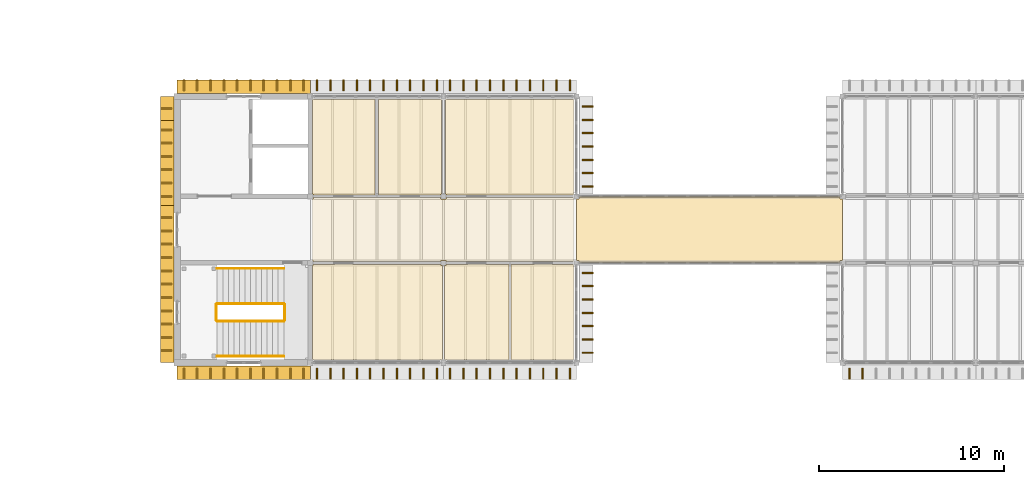
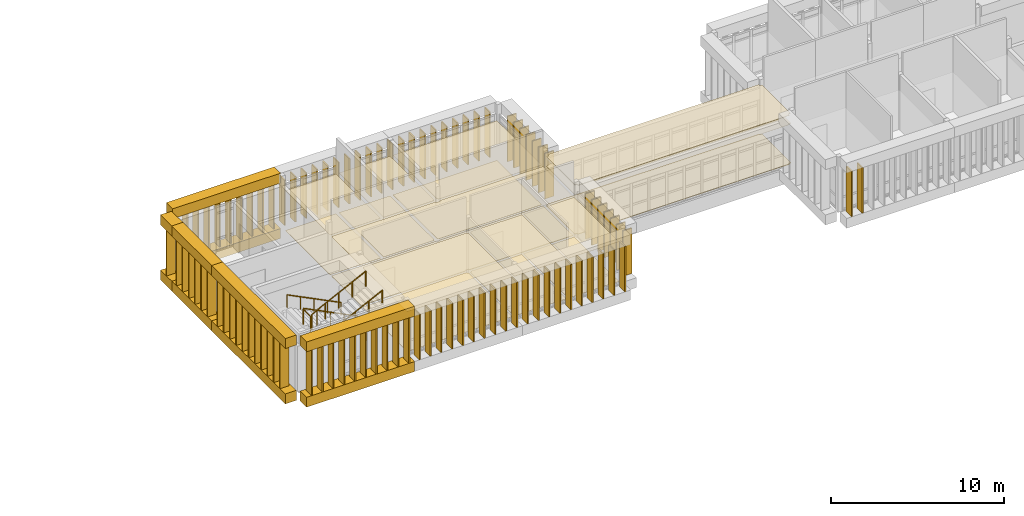
# One storey, part 48 of 51: 121 coverings, 6 railings.
"""IFC4 building model written with IfcOpenShell, lengths in metres."""

from ifc_helpers import new_model, si_unit, direction, frame, origin, origin_2d, place, context, subcontext, project, spatial, polyline, rectangle, circle, outline, extrude, material, layer, layer_set, type_object, element, save


model = new_model("IFC4")

# Units and contexts
model_context = context("Model", 3, precision=1e-05, world=origin(), true_north=direction((0.0, 1.0)))
body_context = subcontext(model_context, "Body", "Model", "MODEL_VIEW")
ifc_project = project(units=[si_unit("LENGTHUNIT", "METRE"), si_unit("AREAUNIT", "SQUARE_METRE"), si_unit("VOLUMEUNIT", "CUBIC_METRE"), si_unit("PLANEANGLEUNIT", "RADIAN"), si_unit("MASSUNIT", "GRAM", prefix="KILO")], contexts=[model_context])

# Site, building, storey
site_placement = place(None, origin())
site = spatial("IfcSite", under=ifc_project, at=site_placement, CompositionType="ELEMENT")
building_placement = place(site_placement, origin())
building = spatial("IfcBuilding", under=site, at=building_placement, Name="Mazhai Court Health Centre", CompositionType="ELEMENT")
storey_placement = place(building_placement, frame((0.0, 0.0, 14.10009765625)))
storey = spatial("IfcBuildingStorey", under=building, at=storey_placement, Name="L03", CompositionType="ELEMENT", Elevation=14.10009765625)

# Coverings
ifc_material_1 = material(Name="Gypsum plasterboard ceiling")
ifc_layer_1 = layer(ifc_material_1, 0.02001953125)
ifc_layer_set_1 = layer_set([ifc_layer_1], Name="CEILING GYPSUM BOARD 20")
covering_type_1 = type_object("IfcCoveringType", Name="CEILING GYPSUM BOARD 20", PredefinedType="CEILING", material=ifc_layer_set_1)
covering_1_placement = place(storey_placement, frame((0.0, 0.0, 2.7998046875)))
element("IfcCovering", 1, at=covering_1_placement, inside=storey, type_object=covering_type_1, Name="ceil-V4-L03-A0-antenatal-clinic", PredefinedType="CEILING", context=body_context, shape_type="SweptSolid", body=[
    extrude(outline(polyline([(85.33740234375, 18.659912109375), (85.260009765625, 18.659912109375), (85.260009765625, 18.72509765625), (78.340087890625, 18.72509765625), (78.340087890625, 18.659912109375), (78.324951171875, 18.659912109375), (78.324951171875, 13.56494140625), (85.33740234375, 13.56494140625), (85.33740234375, 18.659912109375)])), origin(), (0.0, 0.0, 1.0), 0.02001953125),
])
covering_2_placement = place(storey_placement, frame((0.0, 0.0, 2.7998046875)))
element("IfcCovering", 2, at=covering_2_placement, inside=storey, type_object=covering_type_1, Name="ceil-V4-L03-A0-paediatric-consulting-room-1", PredefinedType="CEILING", context=body_context, shape_type="SweptSolid", body=[
    extrude(outline(polyline([(85.5400390625, 18.72509765625), (85.5400390625, 18.659912109375), (85.46240234375, 18.659912109375), (85.46240234375, 13.56494140625), (88.9375, 13.56494140625), (88.9375, 18.72509765625), (85.5400390625, 18.72509765625)])), origin(), (0.0, 0.0, 1.0), 0.02001953125),
])
covering_3_placement = place(storey_placement, frame((0.0, 0.0, 2.7998046875)))
element("IfcCovering", 3, at=covering_3_placement, inside=storey, type_object=covering_type_1, Name="ceil-V4-L03-A0-paediatric-consulting-room-2", PredefinedType="CEILING", context=body_context, shape_type="SweptSolid", body=[
    extrude(outline(polyline([(92.43505859375, 13.56494140625), (92.43505859375, 18.72509765625), (89.0625, 18.72509765625), (89.0625, 13.56494140625), (92.43505859375, 13.56494140625)])), origin(), (0.0, 0.0, 1.0), 0.02001953125),
])
covering_4_placement = place(storey_placement, frame((0.0, 0.0, 2.7998046875)))
element("IfcCovering", 4, at=covering_4_placement, inside=storey, type_object=covering_type_1, Name="ceil-V4-L03-B0-counselling-room-1", PredefinedType="CEILING", context=body_context, shape_type="SweptSolid", body=[
    extrude(outline(polyline([(78.324951171875, 22.5400390625), (78.340087890625, 22.5400390625), (78.340087890625, 22.47509765625), (81.699951171875, 22.47509765625), (81.699951171875, 27.635009765625), (78.324951171875, 27.635009765625), (78.324951171875, 22.5400390625)])), origin(), (0.0, 0.0, 1.0), 0.02001953125),
])
covering_5_placement = place(storey_placement, frame((0.0, 0.0, 2.7998046875)))
element("IfcCovering", 5, at=covering_5_placement, inside=storey, type_object=covering_type_1, Name="ceil-V4-L03-B0-counselling-room-2", PredefinedType="CEILING", context=body_context, shape_type="SweptSolid", body=[
    extrude(outline(polyline([(85.260009765625, 22.47509765625), (85.260009765625, 22.5400390625), (85.300048828125, 22.5400390625), (85.300048828125, 27.635009765625), (81.89990234375, 27.635009765625), (81.89990234375, 22.47509765625), (85.260009765625, 22.47509765625)])), origin(), (0.0, 0.0, 1.0), 0.02001953125),
])
covering_6_placement = place(storey_placement, frame((0.0, 0.0, 2.7998046875)))
element("IfcCovering", 6, at=covering_6_placement, inside=storey, type_object=covering_type_1, Name="ceil-V4-L03-B0-group-therapy-room", PredefinedType="CEILING", context=body_context, shape_type="SweptSolid", body=[
    extrude(outline(polyline([(85.5, 22.5400390625), (85.5400390625, 22.5400390625), (85.5400390625, 22.47509765625), (92.43505859375, 22.47509765625), (92.43505859375, 27.635009765625), (85.5, 27.635009765625), (85.5, 22.5400390625)])), origin(), (0.0, 0.0, 1.0), 0.02001953125),
])
ifc_material_2 = material(Name="Mineral fibre ceiling tile")
ifc_layer_2 = layer(ifc_material_2, 0.014892578125)
ifc_layer_set_2 = layer_set([ifc_layer_2], Name="CEILING MINERAL FIBRE TILE 15")
covering_type_2 = type_object("IfcCoveringType", Name="CEILING MINERAL FIBRE TILE 15", PredefinedType="CEILING", material=ifc_layer_set_2)
covering_7_placement = place(storey_placement, frame((0.0, 0.0, 2.7998046875)))
element("IfcCovering", 7, at=covering_7_placement, inside=storey, type_object=covering_type_2, Name="ceil-V4-L03-corridor-0", PredefinedType="CEILING", context=body_context, shape_type="SweptSolid", body=[
    extrude(outline(polyline([(92.43505859375, 22.324951171875), (85.5400390625, 22.324951171875), (85.5400390625, 22.260009765625), (85.260009765625, 22.260009765625), (85.260009765625, 22.324951171875), (78.340087890625, 22.324951171875), (78.340087890625, 22.260009765625), (78.324951171875, 22.260009765625), (78.324951171875, 18.93994140625), (78.340087890625, 18.93994140625), (78.340087890625, 18.875), (85.260009765625, 18.875), (85.260009765625, 18.93994140625), (85.5400390625, 18.93994140625), (85.5400390625, 18.875), (92.43505859375, 18.875), (92.43505859375, 22.324951171875)])), origin(), (0.0, 0.0, 1.0), 0.01513671875),
])
covering_8_placement = place(storey_placement, frame((0.0, 0.0, 2.7998046875)))
element("IfcCovering", 8, at=covering_8_placement, inside=storey, type_object=covering_type_2, Name="ceil-BR-LC3", PredefinedType="CEILING", context=body_context, shape_type="SweptSolid", body=[
    extrude(outline(polyline([(107.0, 18.93994140625), (106.860107421875, 18.93994140625), (106.860107421875, 18.85009765625), (92.739990234375, 18.85009765625), (92.739990234375, 18.93994140625), (92.60009765625, 18.93994140625), (92.60009765625, 22.260009765625), (92.739990234375, 22.260009765625), (92.739990234375, 22.35009765625), (106.860107421875, 22.35009765625), (106.860107421875, 22.260009765625), (107.0, 22.260009765625), (107.0, 18.93994140625)])), origin(), (0.0, 0.0, 1.0), 0.01513671875),
])
ifc_material_3 = material(Name="Glulam GL24h", Category="wood")
covering_type_3 = type_object("IfcCoveringType", Name="FIN RAIL CLADDING 735x700", PredefinedType="CLADDING", material=ifc_material_3)
for number, where, z_axis, x_axis, name in (
    (9, (74.60009765625, 12.866943359375, -0.7001953125), (0.0, 0.0, 1.0), (1.0, 0.0, 0.0), "FR-V4-A0-L03"),
    (10, (74.60009765625, 12.866943359375, 3.19970703125), (0.0, 0.0, 1.0), (1.0, 0.0, 0.0), "FR-V4-A0-RF"),
    (11, (74.60009765625, 28.33203125, -0.7001953125), (0.0, 0.0, 1.0), (1.0, 0.0, 0.0), "FR-V4-B0-L03"),
    (12, (74.60009765625, 28.33203125, 3.19970703125), (0.0, 0.0, 1.0), (1.0, 0.0, 0.0), "FR-V4-B0-RF"),
):
    element("IfcCovering", number, at=place(storey_placement, frame(where, z_axis=z_axis, x_axis=x_axis)), inside=storey, type_object=covering_type_3, Name=name, PredefinedType="CLADDING", context=body_context, shape_type="SweptSolid", body=[
        extrude(rectangle(XDim=7.199951171875, YDim=0.735107421875, at=origin_2d()), origin(), (0.0, 0.0, 1.0), 0.699951171875),
    ])
for number, where, z_axis, x_axis, name in (
    (13, (70.468017578125, 17.64990234375, -0.7001953125), (0.0, 0.0, 1.0), (1.0, 0.0, 0.0), "FR-V4-S0-L03"),
    (14, (70.468017578125, 17.64990234375, 3.19970703125), (0.0, 0.0, 1.0), (1.0, 0.0, 0.0), "FR-V4-S0-RF"),
):
    element("IfcCovering", number, at=place(storey_placement, frame(where, z_axis=z_axis, x_axis=x_axis)), inside=storey, type_object=covering_type_3, Name=name, PredefinedType="CLADDING", context=body_context, shape_type="SweptSolid", body=[
        extrude(rectangle(XDim=0.735107421875, YDim=8.5, at=origin_2d()), origin(), (0.0, 0.0, 1.0), 0.699951171875),
    ])
for number, where, z_axis, x_axis, name in (
    (15, (70.468017578125, 27.14990234375, -0.7001953125), (0.0, 0.0, 1.0), (1.0, 0.0, 0.0), "FR-V4-S1-L03"),
    (16, (70.468017578125, 27.14990234375, 3.19970703125), (0.0, 0.0, 1.0), (1.0, 0.0, 0.0), "FR-V4-S1-RF"),
):
    element("IfcCovering", number, at=place(storey_placement, frame(where, z_axis=z_axis, x_axis=x_axis)), inside=storey, type_object=covering_type_3, Name=name, PredefinedType="CLADDING", context=body_context, shape_type="SweptSolid", body=[
        extrude(rectangle(XDim=0.735107421875, YDim=1.300048828125, at=origin_2d()), origin(), (0.0, 0.0, 1.0), 0.699951171875),
    ])
for number, where, z_axis, x_axis, name in (
    (17, (70.468017578125, 24.199951171875, -0.7001953125), (0.0, 0.0, 1.0), (1.0, 0.0, 0.0), "FR-V4-S2-L03"),
    (18, (70.468017578125, 24.199951171875, 3.19970703125), (0.0, 0.0, 1.0), (1.0, 0.0, 0.0), "FR-V4-S2-RF"),
):
    element("IfcCovering", number, at=place(storey_placement, frame(where, z_axis=z_axis, x_axis=x_axis)), inside=storey, type_object=covering_type_3, Name=name, PredefinedType="CLADDING", context=body_context, shape_type="SweptSolid", body=[
        extrude(rectangle(XDim=0.735107421875, YDim=4.60009765625, at=origin_2d()), origin(), (0.0, 0.0, 1.0), 0.699951171875),
    ])
ifc_material_4 = material(Name="Teak timber", Category="wood")
covering_type_4 = type_object("IfcCoveringType", Name="FIN TIMBER 80x600", PredefinedType="CLADDING", material=ifc_material_4)
for number, where, z_axis, x_axis, name in (
    (19, (71.360107421875, 12.800048828125, 0.0), (0.0, 0.0, 1.0), (1.0, 0.0, 0.0), "FN-V4-A0-L03-00"),
    (20, (72.080078125, 12.800048828125, 0.0), (0.0, 0.0, 1.0), (1.0, 0.0, 0.0), "FN-V4-A0-L03-01"),
    (21, (72.800048828125, 12.800048828125, 0.0), (0.0, 0.0, 1.0), (1.0, 0.0, 0.0), "FN-V4-A0-L03-02"),
    (22, (73.52001953125, 12.800048828125, 0.0), (0.0, 0.0, 1.0), (1.0, 0.0, 0.0), "FN-V4-A0-L03-03"),
    (23, (74.239990234375, 12.800048828125, 0.0), (0.0, 0.0, 1.0), (1.0, 0.0, 0.0), "FN-V4-A0-L03-04"),
    (24, (74.9599609375, 12.800048828125, 0.0), (0.0, 0.0, 1.0), (1.0, 0.0, 0.0), "FN-V4-A0-L03-05"),
    (25, (75.679931640625, 12.800048828125, 0.0), (0.0, 0.0, 1.0), (1.0, 0.0, 0.0), "FN-V4-A0-L03-06"),
    (26, (76.39990234375, 12.800048828125, 0.0), (0.0, 0.0, 1.0), (1.0, 0.0, 0.0), "FN-V4-A0-L03-07"),
    (27, (77.1201171875, 12.800048828125, 0.0), (0.0, 0.0, 1.0), (1.0, 0.0, 0.0), "FN-V4-A0-L03-08"),
    (28, (77.840087890625, 12.800048828125, 0.0), (0.0, 0.0, 1.0), (1.0, 0.0, 0.0), "FN-V4-A0-L03-09"),
    (29, (78.56005859375, 12.800048828125, 0.0), (0.0, 0.0, 1.0), (1.0, 0.0, 0.0), "FN-V4-A1-L03-00"),
    (30, (79.280029296875, 12.800048828125, 0.0), (0.0, 0.0, 1.0), (1.0, 0.0, 0.0), "FN-V4-A1-L03-01"),
    (31, (80.0, 12.800048828125, 0.0), (0.0, 0.0, 1.0), (1.0, 0.0, 0.0), "FN-V4-A1-L03-02"),
    (32, (80.719970703125, 12.800048828125, 0.0), (0.0, 0.0, 1.0), (1.0, 0.0, 0.0), "FN-V4-A1-L03-03"),
    (33, (81.43994140625, 12.800048828125, 0.0), (0.0, 0.0, 1.0), (1.0, 0.0, 0.0), "FN-V4-A1-L03-04"),
    (34, (82.159912109375, 12.800048828125, 0.0), (0.0, 0.0, 1.0), (1.0, 0.0, 0.0), "FN-V4-A1-L03-05"),
    (35, (82.8798828125, 12.800048828125, 0.0), (0.0, 0.0, 1.0), (1.0, 0.0, 0.0), "FN-V4-A1-L03-06"),
    (36, (83.60009765625, 12.800048828125, 0.0), (0.0, 0.0, 1.0), (1.0, 0.0, 0.0), "FN-V4-A1-L03-07"),
    (37, (84.320068359375, 12.800048828125, 0.0), (0.0, 0.0, 1.0), (1.0, 0.0, 0.0), "FN-V4-A1-L03-08"),
    (38, (85.0400390625, 12.800048828125, 0.0), (0.0, 0.0, 1.0), (1.0, 0.0, 0.0), "FN-V4-A1-L03-09"),
    (39, (85.760009765625, 12.800048828125, 0.0), (0.0, 0.0, 1.0), (1.0, 0.0, 0.0), "FN-V4-A2-L03-00"),
    (40, (86.47998046875, 12.800048828125, 0.0), (0.0, 0.0, 1.0), (1.0, 0.0, 0.0), "FN-V4-A2-L03-01"),
    (41, (87.199951171875, 12.800048828125, 0.0), (0.0, 0.0, 1.0), (1.0, 0.0, 0.0), "FN-V4-A2-L03-02"),
    (42, (87.919921875, 12.800048828125, 0.0), (0.0, 0.0, 1.0), (1.0, 0.0, 0.0), "FN-V4-A2-L03-03"),
    (43, (88.639892578125, 12.800048828125, 0.0), (0.0, 0.0, 1.0), (1.0, 0.0, 0.0), "FN-V4-A2-L03-04"),
    (44, (89.360107421875, 12.800048828125, 0.0), (0.0, 0.0, 1.0), (1.0, 0.0, 0.0), "FN-V4-A2-L03-05"),
    (45, (90.080078125, 12.800048828125, 0.0), (0.0, 0.0, 1.0), (1.0, 0.0, 0.0), "FN-V4-A2-L03-06"),
    (46, (90.800048828125, 12.800048828125, 0.0), (0.0, 0.0, 1.0), (1.0, 0.0, 0.0), "FN-V4-A2-L03-07"),
    (47, (91.52001953125, 12.800048828125, 0.0), (0.0, 0.0, 1.0), (1.0, 0.0, 0.0), "FN-V4-A2-L03-08"),
    (48, (92.239990234375, 12.800048828125, 0.0), (0.0, 0.0, 1.0), (1.0, 0.0, 0.0), "FN-V4-A2-L03-09"),
    (49, (107.360107421875, 12.800048828125, 0.0), (0.0, 0.0, 1.0), (1.0, 0.0, 0.0), "FN-V4-A3-L03-00"),
    (50, (108.080078125, 12.800048828125, 0.0), (0.0, 0.0, 1.0), (1.0, 0.0, 0.0), "FN-V4-A3-L03-01"),
    (51, (71.360107421875, 28.39990234375, 0.0), (0.0, 0.0, 1.0), (1.0, 0.0, 0.0), "FN-V4-B0-L03-00"),
    (52, (72.080078125, 28.39990234375, 0.0), (0.0, 0.0, 1.0), (1.0, 0.0, 0.0), "FN-V4-B0-L03-01"),
    (53, (72.800048828125, 28.39990234375, 0.0), (0.0, 0.0, 1.0), (1.0, 0.0, 0.0), "FN-V4-B0-L03-02"),
    (54, (73.52001953125, 28.39990234375, 0.0), (0.0, 0.0, 1.0), (1.0, 0.0, 0.0), "FN-V4-B0-L03-03"),
    (55, (74.239990234375, 28.39990234375, 0.0), (0.0, 0.0, 1.0), (1.0, 0.0, 0.0), "FN-V4-B0-L03-04"),
    (56, (74.9599609375, 28.39990234375, 0.0), (0.0, 0.0, 1.0), (1.0, 0.0, 0.0), "FN-V4-B0-L03-05"),
    (57, (75.679931640625, 28.39990234375, 0.0), (0.0, 0.0, 1.0), (1.0, 0.0, 0.0), "FN-V4-B0-L03-06"),
    (58, (76.39990234375, 28.39990234375, 0.0), (0.0, 0.0, 1.0), (1.0, 0.0, 0.0), "FN-V4-B0-L03-07"),
    (59, (77.1201171875, 28.39990234375, 0.0), (0.0, 0.0, 1.0), (1.0, 0.0, 0.0), "FN-V4-B0-L03-08"),
    (60, (77.840087890625, 28.39990234375, 0.0), (0.0, 0.0, 1.0), (1.0, 0.0, 0.0), "FN-V4-B0-L03-09"),
    (61, (78.56005859375, 28.39990234375, 0.0), (0.0, 0.0, 1.0), (1.0, 0.0, 0.0), "FN-V4-B1-L03-00"),
    (62, (79.280029296875, 28.39990234375, 0.0), (0.0, 0.0, 1.0), (1.0, 0.0, 0.0), "FN-V4-B1-L03-01"),
    (63, (80.0, 28.39990234375, 0.0), (0.0, 0.0, 1.0), (1.0, 0.0, 0.0), "FN-V4-B1-L03-02"),
    (64, (80.719970703125, 28.39990234375, 0.0), (0.0, 0.0, 1.0), (1.0, 0.0, 0.0), "FN-V4-B1-L03-03"),
    (65, (81.43994140625, 28.39990234375, 0.0), (0.0, 0.0, 1.0), (1.0, 0.0, 0.0), "FN-V4-B1-L03-04"),
    (66, (82.159912109375, 28.39990234375, 0.0), (0.0, 0.0, 1.0), (1.0, 0.0, 0.0), "FN-V4-B1-L03-05"),
    (67, (82.8798828125, 28.39990234375, 0.0), (0.0, 0.0, 1.0), (1.0, 0.0, 0.0), "FN-V4-B1-L03-06"),
    (68, (83.60009765625, 28.39990234375, 0.0), (0.0, 0.0, 1.0), (1.0, 0.0, 0.0), "FN-V4-B1-L03-07"),
    (69, (84.320068359375, 28.39990234375, 0.0), (0.0, 0.0, 1.0), (1.0, 0.0, 0.0), "FN-V4-B1-L03-08"),
    (70, (85.0400390625, 28.39990234375, 0.0), (0.0, 0.0, 1.0), (1.0, 0.0, 0.0), "FN-V4-B1-L03-09"),
    (71, (85.760009765625, 28.39990234375, 0.0), (0.0, 0.0, 1.0), (1.0, 0.0, 0.0), "FN-V4-B2-L03-00"),
    (72, (86.47998046875, 28.39990234375, 0.0), (0.0, 0.0, 1.0), (1.0, 0.0, 0.0), "FN-V4-B2-L03-01"),
    (73, (87.199951171875, 28.39990234375, 0.0), (0.0, 0.0, 1.0), (1.0, 0.0, 0.0), "FN-V4-B2-L03-02"),
    (74, (87.919921875, 28.39990234375, 0.0), (0.0, 0.0, 1.0), (1.0, 0.0, 0.0), "FN-V4-B2-L03-03"),
    (75, (88.639892578125, 28.39990234375, 0.0), (0.0, 0.0, 1.0), (1.0, 0.0, 0.0), "FN-V4-B2-L03-04"),
    (76, (89.360107421875, 28.39990234375, 0.0), (0.0, 0.0, 1.0), (1.0, 0.0, 0.0), "FN-V4-B2-L03-05"),
    (77, (90.080078125, 28.39990234375, 0.0), (0.0, 0.0, 1.0), (1.0, 0.0, 0.0), "FN-V4-B2-L03-06"),
    (78, (90.800048828125, 28.39990234375, 0.0), (0.0, 0.0, 1.0), (1.0, 0.0, 0.0), "FN-V4-B2-L03-07"),
    (79, (91.52001953125, 28.39990234375, 0.0), (0.0, 0.0, 1.0), (1.0, 0.0, 0.0), "FN-V4-B2-L03-08"),
    (80, (92.239990234375, 28.39990234375, 0.0), (0.0, 0.0, 1.0), (1.0, 0.0, 0.0), "FN-V4-B2-L03-09"),
    (81, (70.39990234375, 14.050048828125, 0.0), (0.0, 0.0, 1.0), (0.0, 1.0, 0.0), "FN-V4-S0-L03-00"),
    (82, (70.39990234375, 14.77001953125, 0.0), (0.0, 0.0, 1.0), (0.0, 1.0, 0.0), "FN-V4-S0-L03-01"),
    (83, (70.39990234375, 15.489990234375, 0.0), (0.0, 0.0, 1.0), (0.0, 1.0, 0.0), "FN-V4-S0-L03-02"),
    (84, (70.39990234375, 16.2099609375, 0.0), (0.0, 0.0, 1.0), (0.0, 1.0, 0.0), "FN-V4-S0-L03-03"),
    (85, (70.39990234375, 16.929931640625, 0.0), (0.0, 0.0, 1.0), (0.0, 1.0, 0.0), "FN-V4-S0-L03-04"),
    (86, (70.39990234375, 17.64990234375, 0.0), (0.0, 0.0, 1.0), (0.0, 1.0, 0.0), "FN-V4-S0-L03-05"),
    (87, (70.39990234375, 18.3701171875, 0.0), (0.0, 0.0, 1.0), (0.0, 1.0, 0.0), "FN-V4-S0-L03-06"),
    (88, (70.39990234375, 19.090087890625, 0.0), (0.0, 0.0, 1.0), (0.0, 1.0, 0.0), "FN-V4-S0-L03-07"),
    (89, (70.39990234375, 19.81005859375, 0.0), (0.0, 0.0, 1.0), (0.0, 1.0, 0.0), "FN-V4-S0-L03-08"),
    (90, (70.39990234375, 20.530029296875, 0.0), (0.0, 0.0, 1.0), (0.0, 1.0, 0.0), "FN-V4-S0-L03-09"),
    (91, (70.39990234375, 21.25, 0.0), (0.0, 0.0, 1.0), (0.0, 1.0, 0.0), "FN-V4-S0-L03-10"),
    (92, (70.39990234375, 27.14990234375, 0.0), (0.0, 0.0, 1.0), (0.0, 1.0, 0.0), "FN-V4-S1-L03-00"),
    (93, (70.39990234375, 22.39990234375, 0.0), (0.0, 0.0, 1.0), (0.0, 1.0, 0.0), "FN-V4-S2-L03-00"),
    (94, (70.39990234375, 23.1201171875, 0.0), (0.0, 0.0, 1.0), (0.0, 1.0, 0.0), "FN-V4-S2-L03-01"),
    (95, (70.39990234375, 23.840087890625, 0.0), (0.0, 0.0, 1.0), (0.0, 1.0, 0.0), "FN-V4-S2-L03-02"),
    (96, (70.39990234375, 24.56005859375, 0.0), (0.0, 0.0, 1.0), (0.0, 1.0, 0.0), "FN-V4-S2-L03-03"),
    (97, (70.39990234375, 25.280029296875, 0.0), (0.0, 0.0, 1.0), (0.0, 1.0, 0.0), "FN-V4-S2-L03-04"),
    (98, (70.39990234375, 26.0, 0.0), (0.0, 0.0, 1.0), (0.0, 1.0, 0.0), "FN-V4-S2-L03-05"),
    (99, (93.199951171875, 13.93994140625, 0.0), (0.0, 0.0, 1.0), (0.0, 1.0, 0.0), "FN-V4-CE2-0-L03-00"),
    (100, (93.199951171875, 14.659912109375, 0.0), (0.0, 0.0, 1.0), (0.0, 1.0, 0.0), "FN-V4-CE2-0-L03-01"),
    (101, (93.199951171875, 15.3798828125, 0.0), (0.0, 0.0, 1.0), (0.0, 1.0, 0.0), "FN-V4-CE2-0-L03-02"),
    (102, (93.199951171875, 16.10009765625, 0.0), (0.0, 0.0, 1.0), (0.0, 1.0, 0.0), "FN-V4-CE2-0-L03-03"),
    (103, (93.199951171875, 16.820068359375, 0.0), (0.0, 0.0, 1.0), (0.0, 1.0, 0.0), "FN-V4-CE2-0-L03-04"),
    (104, (93.199951171875, 17.5400390625, 0.0), (0.0, 0.0, 1.0), (0.0, 1.0, 0.0), "FN-V4-CE2-0-L03-05"),
    (105, (93.199951171875, 18.260009765625, 0.0), (0.0, 0.0, 1.0), (0.0, 1.0, 0.0), "FN-V4-CE2-0-L03-06"),
    (106, (93.199951171875, 22.93994140625, 0.0), (0.0, 0.0, 1.0), (0.0, 1.0, 0.0), "FN-V4-CE2-1-L03-00"),
    (107, (93.199951171875, 23.659912109375, 0.0), (0.0, 0.0, 1.0), (0.0, 1.0, 0.0), "FN-V4-CE2-1-L03-01"),
    (108, (93.199951171875, 24.3798828125, 0.0), (0.0, 0.0, 1.0), (0.0, 1.0, 0.0), "FN-V4-CE2-1-L03-02"),
    (109, (93.199951171875, 25.10009765625, 0.0), (0.0, 0.0, 1.0), (0.0, 1.0, 0.0), "FN-V4-CE2-1-L03-03"),
    (110, (93.199951171875, 25.820068359375, 0.0), (0.0, 0.0, 1.0), (0.0, 1.0, 0.0), "FN-V4-CE2-1-L03-04"),
    (111, (93.199951171875, 26.5400390625, 0.0), (0.0, 0.0, 1.0), (0.0, 1.0, 0.0), "FN-V4-CE2-1-L03-05"),
    (112, (93.199951171875, 27.260009765625, 0.0), (0.0, 0.0, 1.0), (0.0, 1.0, 0.0), "FN-V4-CE2-1-L03-06"),
):
    element("IfcCovering", number, at=place(storey_placement, frame(where, z_axis=z_axis, x_axis=x_axis)), inside=storey, type_object=covering_type_4, Name=name, PredefinedType="CLADDING", context=body_context, shape_type="SweptSolid", body=[
        extrude(rectangle(XDim=0.080078125, YDim=0.60009765625, at=origin_2d()), origin(), (0.0, 0.0, 1.0), 3.199951171875),
    ])
ifc_material_5 = material(Name="Heavy duty vinyl flooring")
ifc_layer_3 = layer(ifc_material_5, 0.02001953125)
ifc_layer_set_3 = layer_set([ifc_layer_3], Name="FLOOR FINISH HEAVY DUTY VINYL FLOORING 20")
covering_type_5 = type_object("IfcCoveringType", Name="FLOOR FINISH HEAVY DUTY VINYL FLOORING 20", PredefinedType="FLOORING", material=ifc_layer_set_3)
covering_9_placement = place(storey_placement, origin())
element("IfcCovering", 113, at=covering_9_placement, inside=storey, type_object=covering_type_5, Name="floor-V4-L03-A0-antenatal-clinic", PredefinedType="FLOORING", context=body_context, shape_type="SweptSolid", body=[
    extrude(outline(polyline([(85.33740234375, 18.659912109375), (85.260009765625, 18.659912109375), (85.260009765625, 18.72509765625), (78.340087890625, 18.72509765625), (78.340087890625, 18.659912109375), (78.324951171875, 18.659912109375), (78.324951171875, 13.56494140625), (85.33740234375, 13.56494140625), (85.33740234375, 18.659912109375)])), origin(), (0.0, 0.0, 1.0), 0.02001953125),
])
covering_10_placement = place(storey_placement, origin())
element("IfcCovering", 114, at=covering_10_placement, inside=storey, type_object=covering_type_5, Name="floor-V4-L03-A0-paediatric-consulting-room-1", PredefinedType="FLOORING", context=body_context, shape_type="SweptSolid", body=[
    extrude(outline(polyline([(85.5400390625, 18.72509765625), (85.5400390625, 18.659912109375), (85.46240234375, 18.659912109375), (85.46240234375, 13.56494140625), (88.9375, 13.56494140625), (88.9375, 18.72509765625), (85.5400390625, 18.72509765625)])), origin(), (0.0, 0.0, 1.0), 0.02001953125),
])
covering_11_placement = place(storey_placement, origin())
element("IfcCovering", 115, at=covering_11_placement, inside=storey, type_object=covering_type_5, Name="floor-V4-L03-A0-paediatric-consulting-room-2", PredefinedType="FLOORING", context=body_context, shape_type="SweptSolid", body=[
    extrude(outline(polyline([(92.43505859375, 13.56494140625), (92.43505859375, 18.72509765625), (89.0625, 18.72509765625), (89.0625, 13.56494140625), (92.43505859375, 13.56494140625)])), origin(), (0.0, 0.0, 1.0), 0.02001953125),
])
ifc_material_6 = material(Name="Linoleum flooring")
ifc_layer_4 = layer(ifc_material_6, 0.02001953125)
ifc_layer_set_4 = layer_set([ifc_layer_4], Name="FLOOR FINISH LINOLEUM FLOORING 20")
covering_type_6 = type_object("IfcCoveringType", Name="FLOOR FINISH LINOLEUM FLOORING 20", PredefinedType="FLOORING", material=ifc_layer_set_4)
covering_12_placement = place(storey_placement, origin())
element("IfcCovering", 116, at=covering_12_placement, inside=storey, type_object=covering_type_6, Name="floor-V4-L03-B0-counselling-room-1", PredefinedType="FLOORING", context=body_context, shape_type="SweptSolid", body=[
    extrude(outline(polyline([(78.324951171875, 22.5400390625), (78.340087890625, 22.5400390625), (78.340087890625, 22.47509765625), (81.699951171875, 22.47509765625), (81.699951171875, 27.635009765625), (78.324951171875, 27.635009765625), (78.324951171875, 22.5400390625)])), origin(), (0.0, 0.0, 1.0), 0.02001953125),
])
covering_13_placement = place(storey_placement, origin())
element("IfcCovering", 117, at=covering_13_placement, inside=storey, type_object=covering_type_6, Name="floor-V4-L03-B0-counselling-room-2", PredefinedType="FLOORING", context=body_context, shape_type="SweptSolid", body=[
    extrude(outline(polyline([(85.260009765625, 22.47509765625), (85.260009765625, 22.5400390625), (85.300048828125, 22.5400390625), (85.300048828125, 27.635009765625), (81.89990234375, 27.635009765625), (81.89990234375, 22.47509765625), (85.260009765625, 22.47509765625)])), origin(), (0.0, 0.0, 1.0), 0.02001953125),
])
covering_14_placement = place(storey_placement, origin())
element("IfcCovering", 118, at=covering_14_placement, inside=storey, type_object=covering_type_6, Name="floor-V4-L03-B0-group-therapy-room", PredefinedType="FLOORING", context=body_context, shape_type="SweptSolid", body=[
    extrude(outline(polyline([(85.5, 22.5400390625), (85.5400390625, 22.5400390625), (85.5400390625, 22.47509765625), (92.43505859375, 22.47509765625), (92.43505859375, 27.635009765625), (85.5, 27.635009765625), (85.5, 22.5400390625)])), origin(), (0.0, 0.0, 1.0), 0.02001953125),
])
ifc_material_7 = material(Name="Terrazzo flooring")
ifc_layer_5 = layer(ifc_material_7, 0.0400390625)
ifc_layer_set_5 = layer_set([ifc_layer_5], Name="FLOOR FINISH TERRAZZO FLOORING 40")
covering_type_7 = type_object("IfcCoveringType", Name="FLOOR FINISH TERRAZZO FLOORING 40", PredefinedType="FLOORING", material=ifc_layer_set_5)
covering_15_placement = place(storey_placement, origin())
element("IfcCovering", 119, at=covering_15_placement, inside=storey, type_object=covering_type_7, Name="floor-V4-L03-corridor-0", PredefinedType="FLOORING", context=body_context, shape_type="SweptSolid", body=[
    extrude(outline(polyline([(92.43505859375, 22.324951171875), (85.5400390625, 22.324951171875), (85.5400390625, 22.260009765625), (85.260009765625, 22.260009765625), (85.260009765625, 22.324951171875), (78.340087890625, 22.324951171875), (78.340087890625, 22.260009765625), (78.324951171875, 22.260009765625), (78.324951171875, 18.93994140625), (78.340087890625, 18.93994140625), (78.340087890625, 18.875), (85.260009765625, 18.875), (85.260009765625, 18.93994140625), (85.5400390625, 18.93994140625), (85.5400390625, 18.875), (92.43505859375, 18.875), (92.43505859375, 22.324951171875)])), origin(), (0.0, 0.0, 1.0), 0.039794921875),
])
covering_16_placement = place(storey_placement, origin())
element("IfcCovering", 120, at=covering_16_placement, inside=storey, type_object=covering_type_7, Name="floor-BR-LC3", PredefinedType="FLOORING", context=body_context, shape_type="SweptSolid", body=[
    extrude(outline(polyline([(107.0, 18.93994140625), (106.860107421875, 18.93994140625), (106.860107421875, 18.85009765625), (92.739990234375, 18.85009765625), (92.739990234375, 18.93994140625), (92.60009765625, 18.93994140625), (92.60009765625, 22.260009765625), (92.739990234375, 22.260009765625), (92.739990234375, 22.35009765625), (106.860107421875, 22.35009765625), (106.860107421875, 22.260009765625), (107.0, 22.260009765625), (107.0, 18.93994140625)])), origin(), (0.0, 0.0, 1.0), 0.039794921875),
])
ifc_material_8 = material(Name="Single-ply roof membrane")
ifc_layer_6 = layer(ifc_material_8, 0.014892578125)
ifc_layer_set_6 = layer_set([ifc_layer_6], Name="ROOFING SINGLE-PLY ROOF MEMBRANE 15")
covering_type_8 = type_object("IfcCoveringType", Name="ROOFING SINGLE-PLY ROOF MEMBRANE 15", PredefinedType="ROOFING", material=ifc_layer_set_6)
covering_17_placement = place(storey_placement, frame((106.989990234375, 18.949951171875, 3.5), z_axis=(0.0, 0.0, 1.0), x_axis=(0.0, 1.0, 0.0)))
element("IfcCovering", 121, at=covering_17_placement, inside=storey, type_object=covering_type_8, Name="cover-BR-LC3-roof", PredefinedType="ROOFING", context=body_context, shape_type="SweptSolid", body=[
    extrude(outline(polyline([(0.0, 0.0), (3.300048828125, 0.0), (3.300048828125, 0.139892578125), (3.429931640625, 0.139892578125), (3.429931640625, 14.239990234375), (3.300048828125, 14.239990234375), (3.300048828125, 14.3798828125), (0.0, 14.3798828125), (0.0, 14.239990234375), (-0.1298828125, 14.239990234375), (-0.1298828125, 0.139892578125), (0.0, 0.139892578125), (0.0, 0.0)])), origin(), (0.0, 0.0, -1.0), 0.014892578125),
])

# Railings
ifc_material_9 = material(Name="Steel IS 2062 E250", Category="steel")
railing_type_1 = type_object("IfcRailingType", Name="STAIR GUARD 1100", PredefinedType="GUARDRAIL", material=ifc_material_9)
railing_1_placement = place(storey_placement, frame((76.764892578125, 16.594970703125, 0.14990234375)))
element("IfcRailing", 122, at=railing_1_placement, inside=storey, type_object=railing_type_1, Name="L03 ST6 stair guard 1", PredefinedType="GUARDRAIL", context=body_context, shape_type="SweptSolid", body=[
    extrude(circle(Radius=0.02392578125, at=origin_2d()), frame((0.0, 0.0, 1.076171875), z_axis=(-0.894415058897, 0.0, 0.447237858884), x_axis=(0.0, -1.0, 0.0)), (0.0, 0.0, 1.0), 4.02490234375),
    extrude(circle(Radius=0.02099609375, at=origin_2d()), origin(), (0.0, 0.0, 1.0), 1.052001953125),
    extrude(circle(Radius=0.02099609375, at=origin_2d()), frame((-0.89990234375, 0.0, 0.449951171875)), (0.0, 0.0, 1.0), 1.052001953125),
    extrude(circle(Radius=0.02099609375, at=origin_2d()), frame((-1.7998046875, 0.0, 0.89990234375)), (0.0, 0.0, 1.0), 1.052001953125),
    extrude(circle(Radius=0.02099609375, at=origin_2d()), frame((-2.699951171875, 0.0, 1.35009765625)), (0.0, 0.0, 1.0), 1.052001953125),
    extrude(circle(Radius=0.02099609375, at=origin_2d()), frame((-3.599853515625, 0.0, 1.800048828125)), (0.0, 0.0, 1.0), 1.052001953125),
])
railing_2_placement = place(storey_placement, frame((73.114990234375, 16.544921875, 1.949951171875)))
element("IfcRailing", 123, at=railing_2_placement, inside=storey, type_object=railing_type_1, Name="L03 ST6 stair guard 2", PredefinedType="GUARDRAIL", context=body_context, shape_type="SweptSolid", body=[
    extrude(circle(Radius=0.02392578125, at=origin_2d()), frame((0.0, 0.0, 1.076171875), z_axis=(0.0, -1.0, 0.0), x_axis=(1.0, 0.0, 0.0)), (0.0, 0.0, 1.0), 0.849853515625),
    extrude(circle(Radius=0.02099609375, at=origin_2d()), origin(), (0.0, 0.0, 1.0), 1.052001953125),
    extrude(circle(Radius=0.02099609375, at=origin_2d()), frame((0.0, -0.849853515625, 0.0)), (0.0, 0.0, 1.0), 1.052001953125),
])
railing_3_placement = place(storey_placement, frame((73.1650390625, 15.64501953125, 2.099853515625)))
element("IfcRailing", 124, at=railing_3_placement, inside=storey, type_object=railing_type_1, Name="L03 ST6 stair guard 3", PredefinedType="GUARDRAIL", context=body_context, shape_type="SweptSolid", body=[
    extrude(circle(Radius=0.02392578125, at=origin_2d()), frame((0.0, 0.0, 1.076171875), z_axis=(0.894415058897, 0.0, 0.447237858884), x_axis=(0.0, 1.0, 0.0)), (0.0, 0.0, 1.0), 4.02490234375),
    extrude(circle(Radius=0.02099609375, at=origin_2d()), origin(), (0.0, 0.0, 1.0), 1.052001953125),
    extrude(circle(Radius=0.02099609375, at=origin_2d()), frame((0.89990234375, 0.0, 0.449951171875)), (0.0, 0.0, 1.0), 1.052001953125),
    extrude(circle(Radius=0.02099609375, at=origin_2d()), frame((1.7998046875, 0.0, 0.89990234375)), (0.0, 0.0, 1.0), 1.052001953125),
    extrude(circle(Radius=0.02099609375, at=origin_2d()), frame((2.699951171875, 0.0, 1.35009765625)), (0.0, 0.0, 1.0), 1.052001953125),
    extrude(circle(Radius=0.02099609375, at=origin_2d()), frame((3.599853515625, 0.0, 1.800048828125)), (0.0, 0.0, 1.0), 1.052001953125),
])
railing_4_placement = place(storey_placement, frame((76.81494140625, 16.544921875, 0.0)))
element("IfcRailing", 125, at=railing_4_placement, inside=storey, type_object=railing_type_1, Name="L03 ST6 stair guard 4", PredefinedType="GUARDRAIL", context=body_context, shape_type="SweptSolid", body=[
    extrude(circle(Radius=0.02392578125, at=origin_2d()), frame((0.0, 0.0, 1.076171875), z_axis=(0.0, -1.0, 0.0), x_axis=(1.0, 0.0, 0.0)), (0.0, 0.0, 1.0), 0.849853515625),
    extrude(circle(Radius=0.02099609375, at=origin_2d()), origin(), (0.0, 0.0, 1.0), 1.052001953125),
    extrude(circle(Radius=0.02099609375, at=origin_2d()), frame((0.0, -0.849853515625, 0.0)), (0.0, 0.0, 1.0), 1.052001953125),
])
ifc_material_10 = material(Name="Steel IS 2062 E250", Category="steel")
railing_type_2 = type_object("IfcRailingType", Name="STAIR HANDRAIL 900", PredefinedType="HANDRAIL", material=ifc_material_10)
railing_5_placement = place(storey_placement, frame((76.764892578125, 18.4951171875, 0.14990234375)))
element("IfcRailing", 126, at=railing_5_placement, inside=storey, type_object=railing_type_2, Name="L03 ST6 stair handrail 1", PredefinedType="HANDRAIL", context=body_context, shape_type="SweptSolid", body=[
    extrude(circle(Radius=0.02392578125, at=origin_2d()), frame((0.0, 0.0, 0.8759765625), z_axis=(-0.894415058897, 0.0, 0.447237858884), x_axis=(0.0, -1.0, 0.0)), (0.0, 0.0, 1.0), 4.02490234375),
    extrude(circle(Radius=0.02099609375, at=origin_2d()), origin(), (0.0, 0.0, 1.0), 0.851806640625),
    extrude(circle(Radius=0.02099609375, at=origin_2d()), frame((-0.89990234375, 0.0, 0.449951171875)), (0.0, 0.0, 1.0), 0.851806640625),
    extrude(circle(Radius=0.02099609375, at=origin_2d()), frame((-1.7998046875, 0.0, 0.89990234375)), (0.0, 0.0, 1.0), 0.851806640625),
    extrude(circle(Radius=0.02099609375, at=origin_2d()), frame((-2.699951171875, 0.0, 1.35009765625)), (0.0, 0.0, 1.0), 0.851806640625),
    extrude(circle(Radius=0.02099609375, at=origin_2d()), frame((-3.599853515625, 0.0, 1.800048828125)), (0.0, 0.0, 1.0), 0.851806640625),
])
railing_6_placement = place(storey_placement, frame((73.1650390625, 13.7451171875, 2.099853515625)))
element("IfcRailing", 127, at=railing_6_placement, inside=storey, type_object=railing_type_2, Name="L03 ST6 stair handrail 2", PredefinedType="HANDRAIL", context=body_context, shape_type="SweptSolid", body=[
    extrude(circle(Radius=0.02392578125, at=origin_2d()), frame((0.0, 0.0, 0.8759765625), z_axis=(0.894415058897, 0.0, 0.447237858884), x_axis=(0.0, 1.0, 0.0)), (0.0, 0.0, 1.0), 4.02490234375),
    extrude(circle(Radius=0.02099609375, at=origin_2d()), origin(), (0.0, 0.0, 1.0), 0.851806640625),
    extrude(circle(Radius=0.02099609375, at=origin_2d()), frame((0.89990234375, 0.0, 0.449951171875)), (0.0, 0.0, 1.0), 0.851806640625),
    extrude(circle(Radius=0.02099609375, at=origin_2d()), frame((1.7998046875, 0.0, 0.89990234375)), (0.0, 0.0, 1.0), 0.851806640625),
    extrude(circle(Radius=0.02099609375, at=origin_2d()), frame((2.699951171875, 0.0, 1.35009765625)), (0.0, 0.0, 1.0), 0.851806640625),
    extrude(circle(Radius=0.02099609375, at=origin_2d()), frame((3.599853515625, 0.0, 1.800048828125)), (0.0, 0.0, 1.0), 0.851806640625),
])

save(model, "model.ifc")
